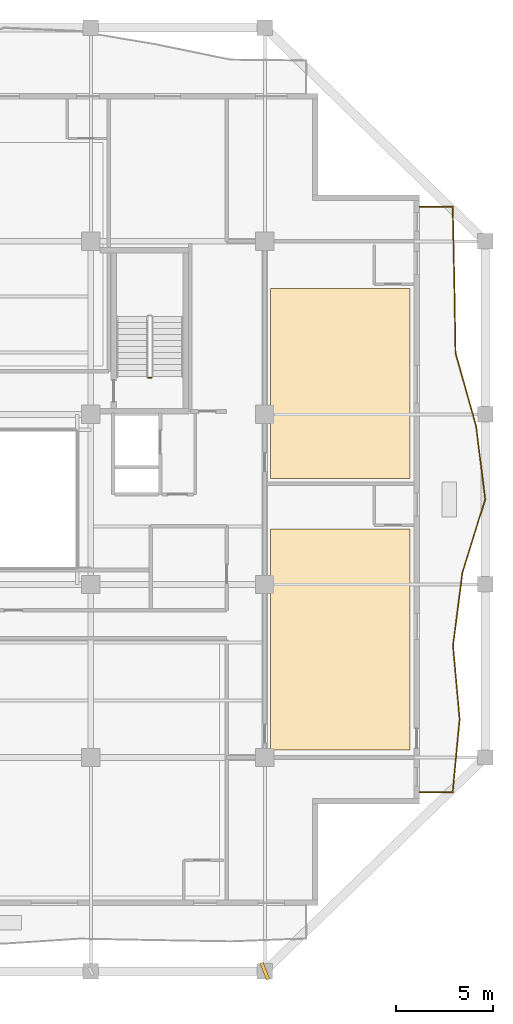
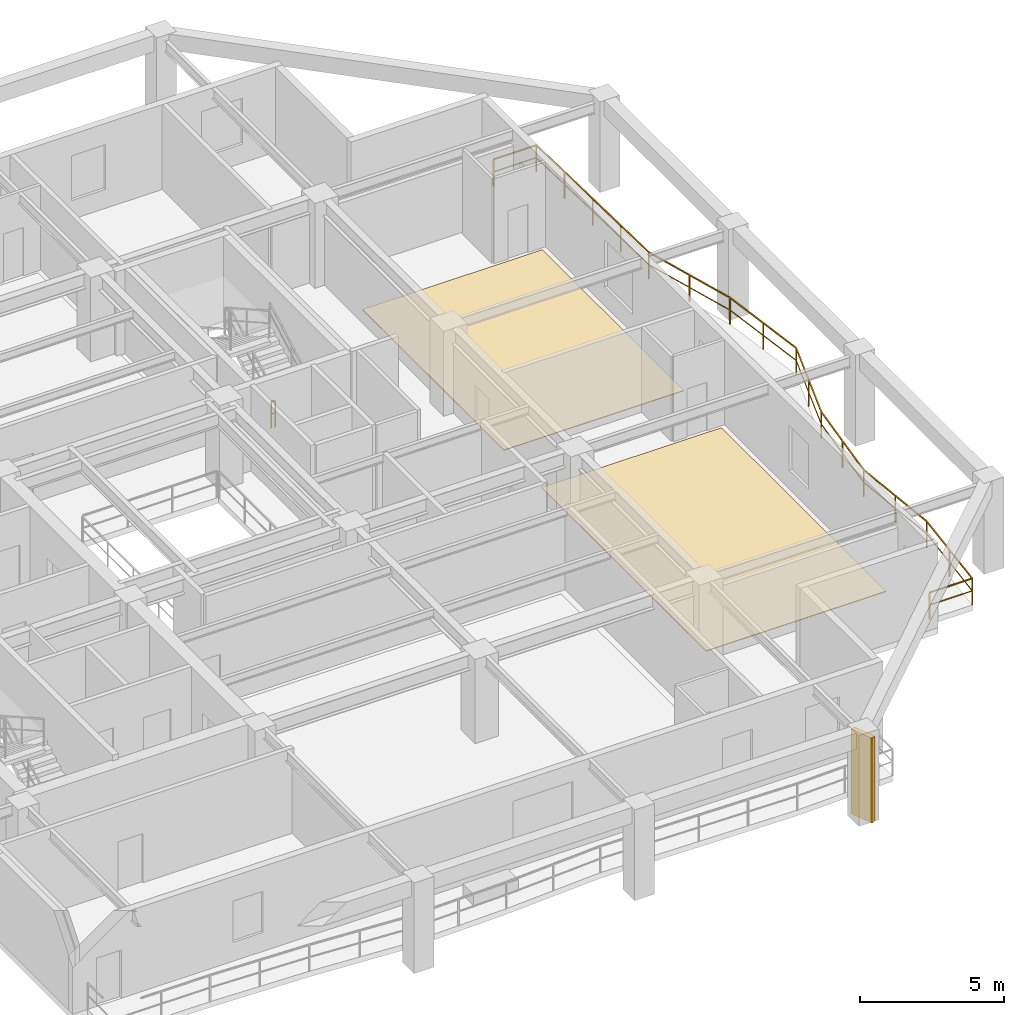
# One storey, part 10 of 12: 2 coverings, 2 railings, 1 shading device.
"""IFC4 building model written with IfcOpenShell, lengths in metres."""

from ifc_helpers import new_model, si_unit, direction, frame, origin, origin_2d, place, context, subcontext, project, spatial, polyline, rectangle, outline, extrude, material, layer, layer_set, type_object, element, save


model = new_model("IFC4")

# Units and contexts
model_context = context("Model", 3, precision=1e-05, world=origin(), true_north=direction((0.0, 1.0)))
body_context = subcontext(model_context, "Body", "Model", "MODEL_VIEW")
ifc_project = project(units=[si_unit("LENGTHUNIT", "METRE"), si_unit("AREAUNIT", "SQUARE_METRE"), si_unit("VOLUMEUNIT", "CUBIC_METRE"), si_unit("PLANEANGLEUNIT", "RADIAN"), si_unit("MASSUNIT", "GRAM", prefix="KILO")], contexts=[model_context])

# Site, building, storey
site_placement = place(None, origin())
site = spatial("IfcSite", under=ifc_project, at=site_placement, CompositionType="ELEMENT")
building_placement = place(site_placement, origin())
building = spatial("IfcBuilding", under=site, at=building_placement, Name="Kundavana Baori Tower", CompositionType="ELEMENT")
storey_placement = place(building_placement, frame((0.0, 0.0, 157.89990234375)))
storey = spatial("IfcBuildingStorey", under=building, at=storey_placement, Name="L38", CompositionType="ELEMENT", Elevation=157.89990234375)

# Coverings
ifc_material_1 = material(Name="Honed Kota Stone and Terrazzo Flooring", Category="masonry")
ifc_layer = layer(ifc_material_1, 0.030029296875, Name="COV-INT-FLR")
ifc_layer_set = layer_set([ifc_layer], Name="Honed Kota Stone and Terrazzo Flooring")
covering_type = type_object("IfcCoveringType", Name="COV-INT-FLR", PredefinedType="FLOORING", material=ifc_layer_set)
covering_1_placement = place(storey_placement, origin())
element("IfcCovering", 1, at=covering_1_placement, inside=storey, type_object=covering_type, Name="L38 Room Finished Stone Flooring 4", PredefinedType="FLOORING", context=body_context, shape_type="SweptSolid", body=[
    extrude(outline(polyline([(43.10009765625, 15.6298828125), (50.320068359375, 15.6298828125), (50.320068359375, 27.070068359375), (43.10009765625, 27.070068359375), (43.10009765625, 15.6298828125)])), origin(), (0.0, 0.0, 1.0), 0.030029296875),
])
covering_2_placement = place(storey_placement, origin())
element("IfcCovering", 2, at=covering_2_placement, inside=storey, type_object=covering_type, Name="L38 Room Finished Stone Flooring 5", PredefinedType="FLOORING", context=body_context, shape_type="SweptSolid", body=[
    extrude(outline(polyline([(43.10009765625, 29.679931640625), (50.320068359375, 29.679931640625), (50.320068359375, 39.52001953125), (43.10009765625, 39.52001953125), (43.10009765625, 29.679931640625)])), origin(), (0.0, 0.0, 1.0), 0.030029296875),
])

# Railings
ifc_material_2 = material(Name="Architectural Patinated Bronze Metalwork")
railing_type_1 = type_object("IfcRailingType", Name="RL-BAL-1150", PredefinedType="BALUSTRADE", material=ifc_material_2)
railing_1_placement = place(storey_placement, frame((50.800048828125, 43.75, 0.0)))
element("IfcRailing", 3, at=railing_1_placement, inside=storey, type_object=railing_type_1, Name="L38 Loggia Balcony Balustrade E", PredefinedType="BALUSTRADE", context=body_context, shape_type="SweptSolid", body=[
    extrude(rectangle(XDim=0.048095703125, YDim=0.048095703125, at=origin_2d()), frame((0.0, 0.0, 1.1259765625), z_axis=(1.0, 0.0, 0.0), x_axis=(0.0, 1.0, 0.0)), (0.0, 0.0, 1.0), 1.719970703125),
    extrude(rectangle(XDim=0.03125, YDim=0.03125, at=origin_2d()), frame((0.0, 0.0, 0.597900390625), z_axis=(1.0, 0.0, 0.0), x_axis=(0.0, 1.0, 0.0)), (0.0, 0.0, 1.0), 1.719970703125),
    extrude(rectangle(XDim=0.048095703125, YDim=0.048095703125, at=origin_2d()), frame((1.719970703125, 0.0, 1.1259765625), z_axis=(0.02164999004, -0.999765611497, 0.0), x_axis=(0.999765611497, 0.02164999004, 0.0)), (0.0, 0.0, 1.0), 3.7890625),
    extrude(rectangle(XDim=0.03125, YDim=0.03125, at=origin_2d()), frame((1.719970703125, 0.0, 0.597900390625), z_axis=(0.02164999004, -0.999765611497, 0.0), x_axis=(0.999765611497, 0.02164999004, 0.0)), (0.0, 0.0, 1.0), 3.7890625),
    extrude(rectangle(XDim=0.048095703125, YDim=0.048095703125, at=origin_2d()), frame((1.802001953125, -3.7880859375, 1.1259765625), z_axis=(0.017146598823, -0.999852986268, 0.0), x_axis=(0.999852986268, 0.017146598823, 0.0)), (0.0, 0.0, 1.0), 3.787353515625),
    extrude(rectangle(XDim=0.03125, YDim=0.03125, at=origin_2d()), frame((1.802001953125, -3.7880859375, 0.597900390625), z_axis=(0.017146598823, -0.999852986268, 0.0), x_axis=(0.999852986268, 0.017146598823, 0.0)), (0.0, 0.0, 1.0), 3.787353515625),
    extrude(rectangle(XDim=0.048095703125, YDim=0.048095703125, at=origin_2d()), frame((1.866943359375, -7.574951171875, 1.1259765625), z_axis=(0.270932467107, -0.962598357711, 0.0), x_axis=(0.962598357711, 0.270932467107, 0.0)), (0.0, 0.0, 1.0), 3.934326171875),
    extrude(rectangle(XDim=0.03125, YDim=0.03125, at=origin_2d()), frame((1.866943359375, -7.574951171875, 0.597900390625), z_axis=(0.270932467107, -0.962598357711, 0.0), x_axis=(0.962598357711, 0.270932467107, 0.0)), (0.0, 0.0, 1.0), 3.934326171875),
    extrude(rectangle(XDim=0.048095703125, YDim=0.048095703125, at=origin_2d()), frame((2.932861328125, -11.362060546875, 1.1259765625), z_axis=(0.122373326497, -0.992484140408, 0.0), x_axis=(0.992484140408, 0.122373326497, 0.0)), (0.0, 0.0, 1.0), 3.81640625),
    extrude(rectangle(XDim=0.03125, YDim=0.03125, at=origin_2d()), frame((2.932861328125, -11.362060546875, 0.597900390625), z_axis=(0.122373326497, -0.992484140408, 0.0), x_axis=(0.992484140408, 0.122373326497, 0.0)), (0.0, 0.0, 1.0), 3.81640625),
    extrude(rectangle(XDim=0.048095703125, YDim=0.048095703125, at=origin_2d()), frame((3.39990234375, -15.14990234375, 1.1259765625), z_axis=(-0.296718615779, -0.954964953833, 0.0), x_axis=(0.954964953833, -0.296718615779, 0.0)), (0.0, 0.0, 1.0), 3.966796875),
    extrude(rectangle(XDim=0.03125, YDim=0.03125, at=origin_2d()), frame((3.39990234375, -15.14990234375, 0.597900390625), z_axis=(-0.296718615779, -0.954964953833, 0.0), x_axis=(0.954964953833, -0.296718615779, 0.0)), (0.0, 0.0, 1.0), 3.966796875),
    extrude(rectangle(XDim=0.048095703125, YDim=0.048095703125, at=origin_2d()), frame((2.222900390625, -18.93798828125, 1.1259765625), z_axis=(-0.127244967104, -0.991871321466, 0.0), x_axis=(0.991871321466, -0.127244967104, 0.0)), (0.0, 0.0, 1.0), 3.818115234375),
    extrude(rectangle(XDim=0.03125, YDim=0.03125, at=origin_2d()), frame((2.222900390625, -18.93798828125, 0.597900390625), z_axis=(-0.127244967104, -0.991871321466, 0.0), x_axis=(0.991871321466, -0.127244967104, 0.0)), (0.0, 0.0, 1.0), 3.818115234375),
    extrude(rectangle(XDim=0.048095703125, YDim=0.048095703125, at=origin_2d()), frame((1.737060546875, -22.72509765625, 1.1259765625), z_axis=(0.090147860438, -0.995928392636, 0.0), x_axis=(0.995928392636, 0.090147860438, 0.0)), (0.0, 0.0, 1.0), 3.80224609375),
    extrude(rectangle(XDim=0.03125, YDim=0.03125, at=origin_2d()), frame((1.737060546875, -22.72509765625, 0.597900390625), z_axis=(0.090147860438, -0.995928392636, 0.0), x_axis=(0.995928392636, 0.090147860438, 0.0)), (0.0, 0.0, 1.0), 3.80224609375),
    extrude(rectangle(XDim=0.048095703125, YDim=0.048095703125, at=origin_2d()), frame((2.079833984375, -26.511962890625, 1.1259765625), z_axis=(-0.094572920789, -0.995517936882, 0.0), x_axis=(0.995517936882, -0.094572920789, 0.0)), (0.0, 0.0, 1.0), 3.80517578125),
    extrude(rectangle(XDim=0.03125, YDim=0.03125, at=origin_2d()), frame((2.079833984375, -26.511962890625, 0.597900390625), z_axis=(-0.094572920789, -0.995517936882, 0.0), x_axis=(0.995517936882, -0.094572920789, 0.0)), (0.0, 0.0, 1.0), 3.80517578125),
    extrude(rectangle(XDim=0.048095703125, YDim=0.048095703125, at=origin_2d()), frame((1.719970703125, -30.300048828125, 1.1259765625), z_axis=(-1.0, 0.0, 0.0), x_axis=(0.0, -1.0, 0.0)), (0.0, 0.0, 1.0), 1.719970703125),
    extrude(rectangle(XDim=0.03125, YDim=0.03125, at=origin_2d()), frame((1.719970703125, -30.300048828125, 0.597900390625), z_axis=(-1.0, 0.0, 0.0), x_axis=(0.0, -1.0, 0.0)), (0.0, 0.0, 1.0), 1.719970703125),
    extrude(rectangle(XDim=0.0419921875, YDim=0.0419921875, at=origin_2d()), origin(), (0.0, 0.0, 1.0), 1.101806640625),
    extrude(rectangle(XDim=0.0419921875, YDim=0.0419921875, at=origin_2d()), frame((1.719970703125, 0.0, 0.0)), (0.0, 0.0, 1.0), 1.101806640625),
    extrude(rectangle(XDim=0.0419921875, YDim=0.0419921875, at=origin_2d()), frame((1.760986328125, -1.89404296875, 0.0)), (0.0, 0.0, 1.0), 1.101806640625),
    extrude(rectangle(XDim=0.0419921875, YDim=0.0419921875, at=origin_2d()), frame((1.802001953125, -3.7880859375, 0.0)), (0.0, 0.0, 1.0), 1.101806640625),
    extrude(rectangle(XDim=0.0419921875, YDim=0.0419921875, at=origin_2d()), frame((1.83447265625, -5.681640625, 0.0)), (0.0, 0.0, 1.0), 1.101806640625),
    extrude(rectangle(XDim=0.0419921875, YDim=0.0419921875, at=origin_2d()), frame((1.866943359375, -7.574951171875, 0.0)), (0.0, 0.0, 1.0), 1.101806640625),
    extrude(rectangle(XDim=0.0419921875, YDim=0.0419921875, at=origin_2d()), frame((2.39990234375, -9.468505859375, 0.0)), (0.0, 0.0, 1.0), 1.101806640625),
    extrude(rectangle(XDim=0.0419921875, YDim=0.0419921875, at=origin_2d()), frame((2.932861328125, -11.362060546875, 0.0)), (0.0, 0.0, 1.0), 1.101806640625),
    extrude(rectangle(XDim=0.0419921875, YDim=0.0419921875, at=origin_2d()), frame((3.16650390625, -13.255859375, 0.0)), (0.0, 0.0, 1.0), 1.101806640625),
    extrude(rectangle(XDim=0.0419921875, YDim=0.0419921875, at=origin_2d()), frame((3.39990234375, -15.14990234375, 0.0)), (0.0, 0.0, 1.0), 1.101806640625),
    extrude(rectangle(XDim=0.0419921875, YDim=0.0419921875, at=origin_2d()), frame((2.8115234375, -17.0439453125, 0.0)), (0.0, 0.0, 1.0), 1.101806640625),
    extrude(rectangle(XDim=0.0419921875, YDim=0.0419921875, at=origin_2d()), frame((2.222900390625, -18.93798828125, 0.0)), (0.0, 0.0, 1.0), 1.101806640625),
    extrude(rectangle(XDim=0.0419921875, YDim=0.0419921875, at=origin_2d()), frame((1.97998046875, -20.83154296875, 0.0)), (0.0, 0.0, 1.0), 1.101806640625),
    extrude(rectangle(XDim=0.0419921875, YDim=0.0419921875, at=origin_2d()), frame((1.737060546875, -22.72509765625, 0.0)), (0.0, 0.0, 1.0), 1.101806640625),
    extrude(rectangle(XDim=0.0419921875, YDim=0.0419921875, at=origin_2d()), frame((1.908447265625, -24.61865234375, 0.0)), (0.0, 0.0, 1.0), 1.101806640625),
    extrude(rectangle(XDim=0.0419921875, YDim=0.0419921875, at=origin_2d()), frame((2.079833984375, -26.511962890625, 0.0)), (0.0, 0.0, 1.0), 1.101806640625),
    extrude(rectangle(XDim=0.0419921875, YDim=0.0419921875, at=origin_2d()), frame((1.89990234375, -28.406005859375, 0.0)), (0.0, 0.0, 1.0), 1.101806640625),
    extrude(rectangle(XDim=0.0419921875, YDim=0.0419921875, at=origin_2d()), frame((1.719970703125, -30.300048828125, 0.0)), (0.0, 0.0, 1.0), 1.101806640625),
    extrude(rectangle(XDim=0.0419921875, YDim=0.0419921875, at=origin_2d()), frame((0.0, -30.300048828125, 0.0)), (0.0, 0.0, 1.0), 1.101806640625),
])
ifc_material_3 = material(Name="Architectural Patinated Bronze Metalwork")
railing_type_2 = type_object("IfcRailingType", Name="RL-GRD-1150", PredefinedType="GUARDRAIL", material=ifc_material_3)
railing_2_placement = place(storey_placement, frame((36.929931640625, 34.89990234375, 0.0)))
element("IfcRailing", 4, at=railing_2_placement, inside=storey, type_object=railing_type_2, Name="L38 ST3 stair guard 4", PredefinedType="GUARDRAIL", context=body_context, shape_type="SweptSolid", body=[
    extrude(rectangle(XDim=0.048095703125, YDim=0.048095703125, at=origin_2d()), frame((0.0, 0.0, 1.1259765625), z_axis=(-1.0, 0.0, 0.0), x_axis=(0.0, -1.0, 0.0)), (0.0, 0.0, 1.0), 0.159912109375),
    extrude(rectangle(XDim=0.03125, YDim=0.03125, at=origin_2d()), frame((0.0, 0.0, 0.597900390625), z_axis=(-1.0, 0.0, 0.0), x_axis=(0.0, -1.0, 0.0)), (0.0, 0.0, 1.0), 0.159912109375),
    extrude(rectangle(XDim=0.0419921875, YDim=0.0419921875, at=origin_2d()), origin(), (0.0, 0.0, 1.0), 1.101806640625),
    extrude(rectangle(XDim=0.0419921875, YDim=0.0419921875, at=origin_2d()), frame((-0.159912109375, 0.0, 0.0)), (0.0, 0.0, 1.0), 1.101806640625),
])

# Shading device
ifc_material_4 = material(Name="Red-Buff Dholpur Sandstone Cladding on Concrete C40/50", Category="masonry")
shading_device_type = type_object("IfcShadingDeviceType", Name="SHD-FIN-920", PredefinedType="JALOUSIE", material=ifc_material_4)
shading_device_placement = place(storey_placement, frame((42.800048828125, 4.199951171875, 0.0), z_axis=(0.0, 0.0, 1.0), x_axis=(0.927183854567, 0.374606593416, 0.0)))
element("IfcShadingDevice", 5, at=shading_device_placement, inside=storey, type_object=shading_device_type, Name="L38 Sweeping Dholpur Sandstone Facade Fin 4", PredefinedType="JALOUSIE", context=body_context, shape_type="SweptSolid", body=[
    extrude(rectangle(XDim=0.179931640625, YDim=0.919921875, at=origin_2d()), origin(), (0.0, 0.0, 1.0), 3.60009765625),
])

save(model, "model.ifc")
